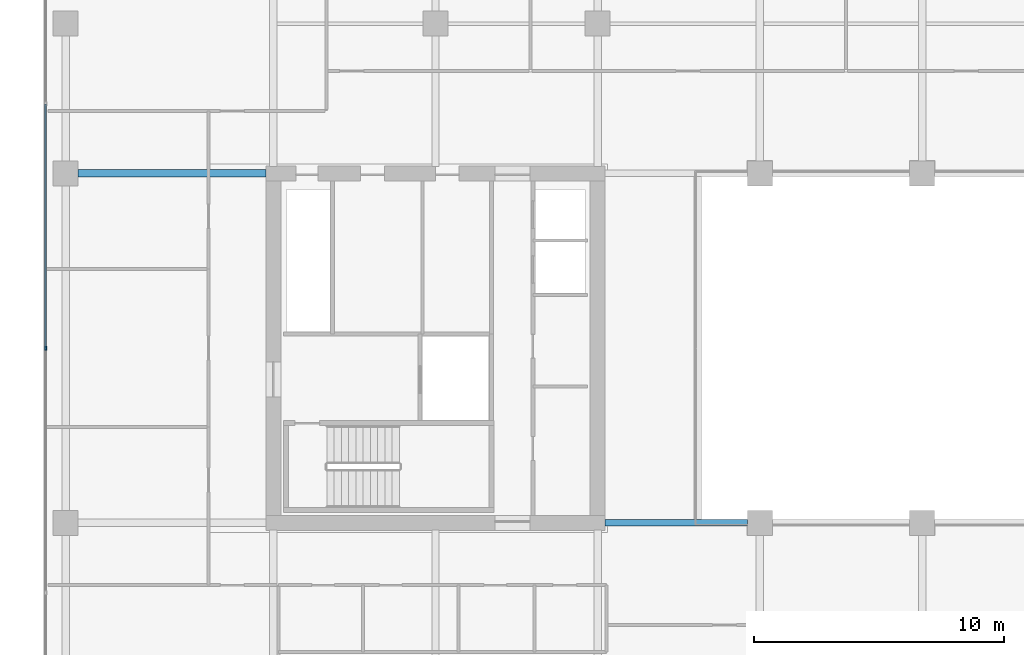
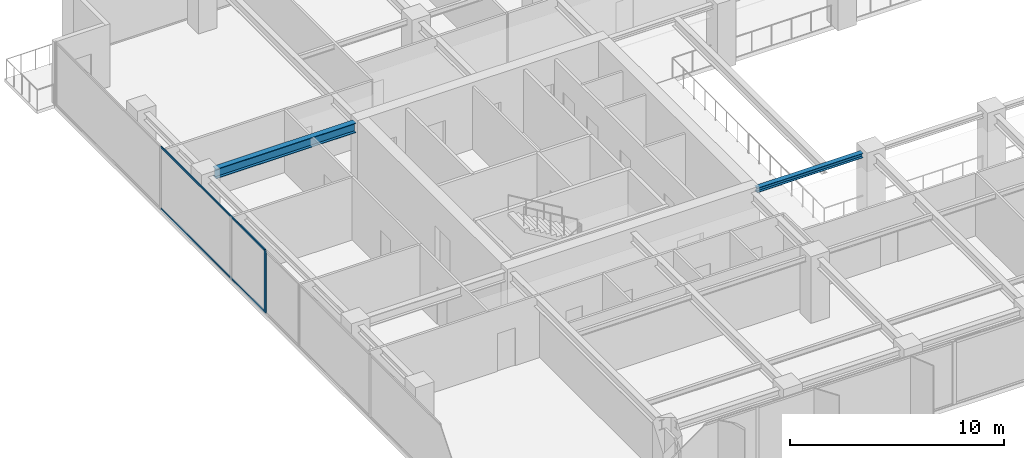
# One storey, part 4 of 22: 3 members, 2 beams, 1 element without a shape of its own.
"""IFC4 building model written with IfcOpenShell, lengths in metres."""

from ifc_helpers import new_model, si_unit, direction, frame, origin, origin_2d, place, context, subcontext, project, spatial, rectangle, i_section, extrude, material, layer, layer_set, material_profile, profile_set, type_object, element, aggregate, save


model = new_model("IFC4")

# Units and contexts
model_context = context("Model", 3, precision=1e-05, world=origin(), true_north=direction((0.0, 1.0)))
body_context = subcontext(model_context, "Body", "Model", "MODEL_VIEW")
ifc_project = project(units=[si_unit("LENGTHUNIT", "METRE"), si_unit("AREAUNIT", "SQUARE_METRE"), si_unit("VOLUMEUNIT", "CUBIC_METRE"), si_unit("PLANEANGLEUNIT", "RADIAN"), si_unit("MASSUNIT", "GRAM", prefix="KILO")], contexts=[model_context])

# Site, building, storey
site_placement = place(None, origin())
site = spatial("IfcSite", under=ifc_project, at=site_placement, CompositionType="ELEMENT")
building_placement = place(site_placement, origin())
building = spatial("IfcBuilding", under=site, at=building_placement, Name="Putna Gate Headquarters", CompositionType="ELEMENT")
storey_placement = place(building_placement, frame((0.0, 0.0, 155.60009765625)))
storey = spatial("IfcBuildingStorey", under=building, at=storey_placement, Name="L38", CompositionType="ELEMENT", Elevation=155.60009765625)

# Beams
ifc_material_1 = material(Name="Steel S355J2", Category="steel")
ifc_material_profile_1 = material_profile(ifc_material_1, i_section(OverallWidth=0.260009765625, OverallDepth=0.260009765625, WebThickness=0.010009765625, FlangeThickness=0.017578125, at=origin_2d()), Name="Steel S355J2")
ifc_profile_set_1 = profile_set([ifc_material_profile_1], Name="Steel S355J2")
beam_type_1 = type_object("IfcBeamType", Name="BM-ATRIUM-HEB260", PredefinedType="BEAM", material=ifc_profile_set_1)
beam_1_placement = place(storey_placement, frame((26.284912109375, 19.0, 3.44189453125), z_axis=(1.0, 0.0, 0.0), x_axis=(0.0, 1.0, 0.0)))
element("IfcBeam", 1, at=beam_1_placement, inside=storey, type_object=beam_type_1, Name="L38 Atrium Edge Beam AS1", PredefinedType="BEAM", context=body_context, shape_type="SweptSolid", body=[
    extrude(i_section(OverallWidth=0.260009765625, OverallDepth=0.260009765625, WebThickness=0.010009765625, FlangeThickness=0.017578125, at=origin_2d()), origin(), (0.0, 0.0, 1.0), 5.72705078125),
])
ifc_material_profile_2 = material_profile(ifc_material_1, i_section(OverallWidth=0.300048828125, OverallDepth=0.550048828125, WebThickness=0.014892578125, FlangeThickness=0.029052734375, at=origin_2d()), Name="Steel S355J2")
ifc_profile_set_2 = profile_set([ifc_material_profile_2], Name="Steel S355J2")
beam_type_2 = type_object("IfcBeamType", Name="BM-GIRD-Z3-HEB550", PredefinedType="USERDEFINED", material=ifc_profile_set_2)
beam_2_placement = place(storey_placement, frame((5.16796875, 33.0, 3.296875), z_axis=(1.0, 0.0, 0.0), x_axis=(0.0, 1.0, 0.0)))
element("IfcBeam", 2, at=beam_2_placement, inside=storey, type_object=beam_type_2, Name="L38 West Wing Girder Y33", ObjectType="GIRDER", PredefinedType="USERDEFINED", context=body_context, shape_type="SweptSolid", body=[
    extrude(i_section(OverallWidth=0.300048828125, OverallDepth=0.550048828125, WebThickness=0.014892578125, FlangeThickness=0.029052734375, at=origin_2d()), origin(), (0.0, 0.0, 1.0), 7.547119140625),
])

# Curtain wall, members
ifc_material_2 = material(Name="Anodised bronze aluminium curtain wall", Category="aluminium")
ifc_layer = layer(ifc_material_2, 0.159912109375)
ifc_layer_set = layer_set([ifc_layer], Name="Anodised bronze aluminium curtain wall")
curtain_wall_type = type_object("IfcCurtainWallType", Name="CW-SYS-Z3", PredefinedType="USERDEFINED", material=ifc_layer_set)
curtain_wall_placement = place(storey_placement, origin())
curtain_wall = element("IfcCurtainWall", 3, at=curtain_wall_placement, inside=storey, type_object=curtain_wall_type, Name="L38 West Curtain Wall", ObjectType="STICK CURTAIN WALL", PredefinedType="USERDEFINED")
ifc_material_3 = material(Name="Anodised bronze aluminium EN AW-6060", Category="aluminium")
ifc_material_profile_3 = material_profile(ifc_material_3, rectangle(XDim=0.06494140625, YDim=0.159912109375, at=origin_2d()), Name="Anodised bronze aluminium EN AW-6060")
ifc_profile_set_3 = profile_set([ifc_material_profile_3], Name="Anodised bronze aluminium EN AW-6060")
member_type_1 = type_object("IfcMemberType", Name="MULL-CWM-3", PredefinedType="MULLION", material=ifc_profile_set_3)
member_1_placement = place(storey_placement, frame((3.8798828125, 26.0, 0.0), z_axis=(0.0, 0.0, 1.0), x_axis=(-1.0, 0.0, 0.0)))
member_1 = element("IfcMember", 4, at=member_1_placement, type_object=member_type_1, Name="CWS-3 mullion 3", PredefinedType="MULLION", context=body_context, shape_type="SweptSolid", body=[
    extrude(rectangle(XDim=0.06494140625, YDim=0.159912109375, at=origin_2d()), origin(), (0.0, 0.0, 1.0), 3.572021484375),
])
ifc_material_profile_4 = material_profile(ifc_material_3, rectangle(XDim=0.06005859375, YDim=0.10009765625, at=origin_2d()), Name="Anodised bronze aluminium EN AW-6060")
ifc_profile_set_4 = profile_set([ifc_material_profile_4], Name="Anodised bronze aluminium EN AW-6060")
member_type_2 = type_object("IfcMemberType", Name="TRAN-CWT-3", PredefinedType="USERDEFINED", material=ifc_profile_set_4)
member_2_placement = place(storey_placement, frame((3.8798828125, 26.032470703125, 0.02978515625), z_axis=(0.0, 1.0, 0.0), x_axis=(-1.0, 0.0, 0.0)))
member_2 = element("IfcMember", 5, at=member_2_placement, type_object=member_type_2, Name="CWS-3 transom 3.1", ObjectType="TRANSOM", PredefinedType="USERDEFINED", context=body_context, shape_type="SweptSolid", body=[
    extrude(rectangle(XDim=0.06005859375, YDim=0.10009765625, at=origin_2d()), origin(), (0.0, 0.0, 1.0), 9.735107421875),
])
member_3_placement = place(storey_placement, frame((3.8798828125, 26.032470703125, 3.5419921875), z_axis=(0.0, 1.0, 0.0), x_axis=(-1.0, 0.0, 0.0)))
member_3 = element("IfcMember", 6, at=member_3_placement, type_object=member_type_2, Name="CWS-3 transom 3.2", ObjectType="TRANSOM", PredefinedType="USERDEFINED", context=body_context, shape_type="SweptSolid", body=[
    extrude(rectangle(XDim=0.06005859375, YDim=0.10009765625, at=origin_2d()), origin(), (0.0, 0.0, 1.0), 9.735107421875),
])
aggregate(curtain_wall, [member_1, member_2, member_3])

save(model, "model.ifc")
